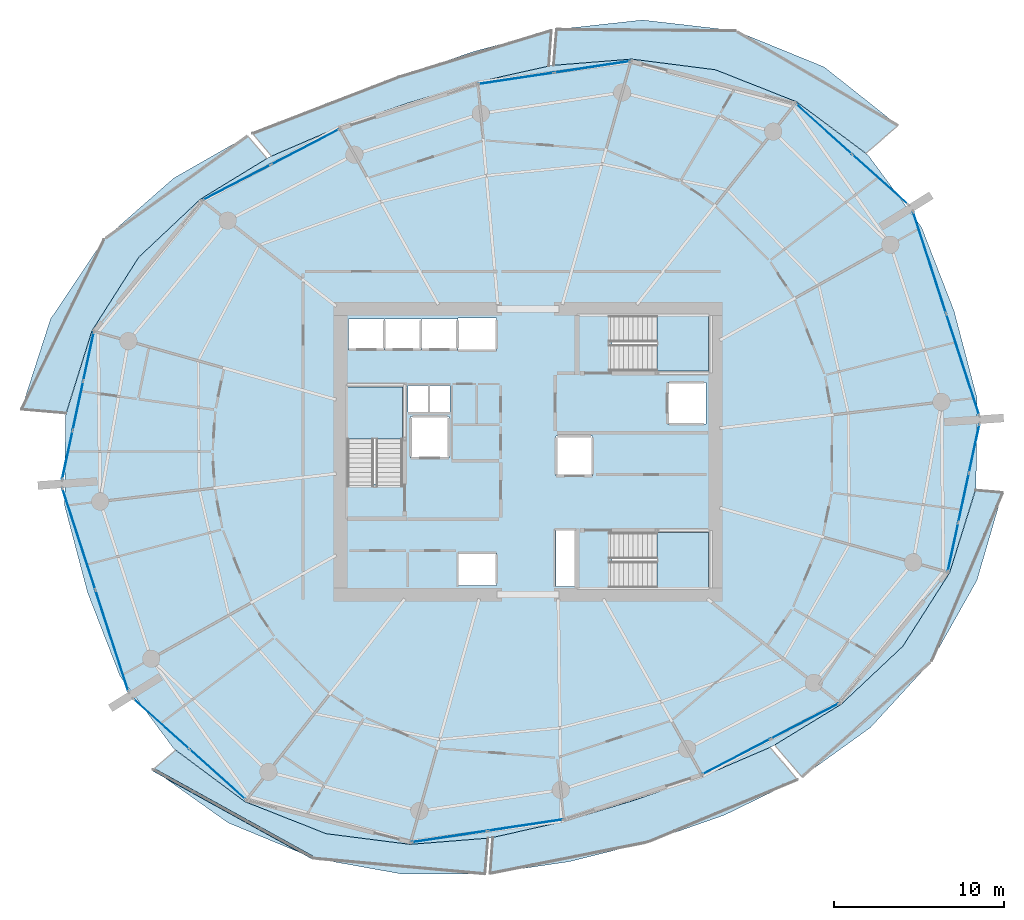
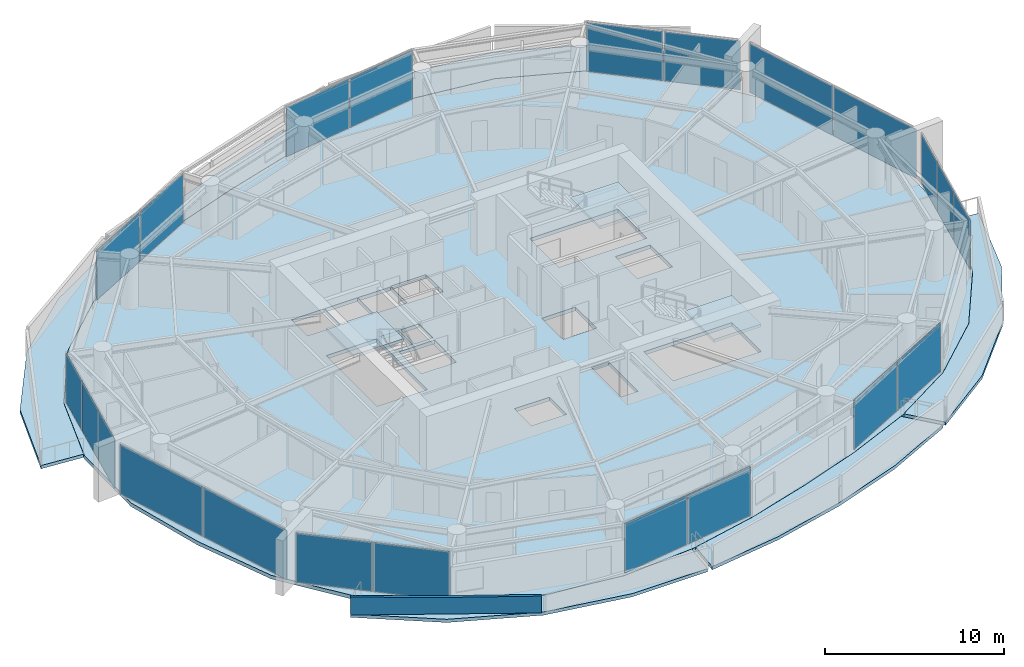
# One storey, part 10 of 20: 22 plates, 10 slabs, 1 wall, 13 elements without a shape of their own.
"""IFC4 building model written with IfcOpenShell, lengths in metres."""

from ifc_helpers import new_model, si_unit, direction, frame, origin, origin_2d, place, context, subcontext, project, spatial, polyline, rectangle, outline, extrude, material, layer, layer_set, type_object, element, aggregate, save


model = new_model("IFC4")

# Units and contexts
model_context = context("Model", 3, precision=1e-05, world=origin(), true_north=direction((0.0, 1.0)))
body_context = subcontext(model_context, "Body", "Model", "MODEL_VIEW")
ifc_project = project(units=[si_unit("LENGTHUNIT", "METRE"), si_unit("AREAUNIT", "SQUARE_METRE"), si_unit("VOLUMEUNIT", "CUBIC_METRE"), si_unit("PLANEANGLEUNIT", "RADIAN"), si_unit("MASSUNIT", "GRAM", prefix="KILO")], contexts=[model_context])

# Site, building, storey
site_placement = place(None, origin())
site = spatial("IfcSite", under=ifc_project, at=site_placement, CompositionType="ELEMENT")
building_placement = place(site_placement, origin())
building = spatial("IfcBuilding", under=site, at=building_placement, Name="Kazma Halo Residences", CompositionType="ELEMENT")
storey_placement = place(building_placement, frame((0.0, 0.0, 135.300048828125)))
storey = spatial("IfcBuildingStorey", under=building, at=storey_placement, Name="L33", CompositionType="ELEMENT", Elevation=135.300048828125)

# Curtain wall, plates
ifc_material_1 = material(Name="Aluminium AW-6063 T6 and Triple-Silver Low-E Glass", Category="aluminium")
ifc_layer_1 = layer(ifc_material_1, 0.219970703125)
ifc_layer_set_1 = layer_set([ifc_layer_1], Name="Aluminium AW-6063 T6 and Triple-Silver Low-E Glass")
curtain_wall_type = type_object("IfcCurtainWallType", Name="CW-SYS-4", PredefinedType="NOTDEFINED", material=ifc_layer_set_1)
curtain_wall_1_placement = place(storey_placement, origin())
curtain_wall_1 = element("IfcCurtainWall", 1, at=curtain_wall_1_placement, inside=storey, type_object=curtain_wall_type, Name="L33 unitised curtain wall B01", PredefinedType="NOTDEFINED")
ifc_material_2 = material(Name="Clear Triple-Silver Low-E Glass IGU", Category="glass")
ifc_layer_2 = layer(ifc_material_2, 0.033935546875)
ifc_layer_set_2 = layer_set([ifc_layer_2], Name="Clear Triple-Silver Low-E Glass IGU")
plate_type = type_object("IfcPlateType", Name="CW-SYS-4-PNL", PredefinedType="CURTAIN_PANEL", material=ifc_layer_set_2)
plate_1_placement = place(storey_placement, frame((69.126708984375, 58.008056640625, 0.074951171875), z_axis=(0.0, 0.0, 1.0), x_axis=(-0.744367582957, 0.667770096247, 0.0)))
plate_1 = element("IfcPlate", 2, at=plate_1_placement, type_object=plate_type, Name="CWS-4 panel 1.1", PredefinedType="CURTAIN_PANEL", context=body_context, shape_type="SweptSolid", body=[
    extrude(rectangle(XDim=4.36279296875, YDim=0.033935546875, at=origin_2d()), origin(), (0.0, 0.0, 1.0), 3.35009765625),
])
plate_2_placement = place(storey_placement, frame((65.823486328125, 60.971435546875, 0.074951171875), z_axis=(0.0, 0.0, 1.0), x_axis=(-0.744367582957, 0.667770096247, 0.0)))
plate_2 = element("IfcPlate", 3, at=plate_2_placement, type_object=plate_type, Name="CWS-4 panel 2.1", PredefinedType="CURTAIN_PANEL", context=body_context, shape_type="SweptSolid", body=[
    extrude(rectangle(XDim=4.36279296875, YDim=0.033935546875, at=origin_2d()), origin(), (0.0, 0.0, 1.0), 3.35009765625),
])
aggregate(curtain_wall_1, [plate_1, plate_2])

curtain_wall_2_placement = place(storey_placement, origin())
curtain_wall_2 = element("IfcCurtainWall", 4, at=curtain_wall_2_placement, inside=storey, type_object=curtain_wall_type, Name="L33 unitised curtain wall B03", PredefinedType="NOTDEFINED")
plate_3_placement = place(storey_placement, frame((52.200439453125, 64.625732421875, 0.074951171875), z_axis=(0.0, 0.0, 1.0), x_axis=(-0.988864148004, -0.148821022686, 0.0)))
plate_3 = element("IfcPlate", 5, at=plate_3_placement, type_object=plate_type, Name="CWS-4 panel 1.1", PredefinedType="CURTAIN_PANEL", context=body_context, shape_type="SweptSolid", body=[
    extrude(rectangle(XDim=4.4560546875, YDim=0.033935546875, at=origin_2d()), origin(), (0.0, 0.0, 1.0), 3.35009765625),
])
plate_4_placement = place(storey_placement, frame((47.7197265625, 63.951416015625, 0.074951171875), z_axis=(0.0, 0.0, 1.0), x_axis=(-0.988864148004, -0.148821022686, 0.0)))
plate_4 = element("IfcPlate", 6, at=plate_4_placement, type_object=plate_type, Name="CWS-4 panel 2.1", PredefinedType="CURTAIN_PANEL", context=body_context, shape_type="SweptSolid", body=[
    extrude(rectangle(XDim=4.4560546875, YDim=0.033935546875, at=origin_2d()), origin(), (0.0, 0.0, 1.0), 3.35009765625),
])
aggregate(curtain_wall_2, [plate_3, plate_4])

curtain_wall_3_placement = place(storey_placement, origin())
curtain_wall_3 = element("IfcCurtainWall", 7, at=curtain_wall_3_placement, inside=storey, type_object=curtain_wall_type, Name="L33 unitised curtain wall B05", PredefinedType="NOTDEFINED")
plate_5_placement = place(storey_placement, frame((35.323974609375, 59.923828125, 0.074951171875), z_axis=(0.0, 0.0, 1.0), x_axis=(-0.887484542306, -0.460837484552, 0.0)))
plate_5 = element("IfcPlate", 8, at=plate_5_placement, type_object=plate_type, Name="CWS-4 panel 1.1", PredefinedType="CURTAIN_PANEL", context=body_context, shape_type="SweptSolid", body=[
    extrude(rectangle(XDim=4.4560546875, YDim=0.033935546875, at=origin_2d()), origin(), (0.0, 0.0, 1.0), 3.35009765625),
])
plate_6_placement = place(storey_placement, frame((31.302734375, 57.835693359375, 0.074951171875), z_axis=(0.0, 0.0, 1.0), x_axis=(-0.887484542306, -0.460837484552, 0.0)))
plate_6 = element("IfcPlate", 9, at=plate_6_placement, type_object=plate_type, Name="CWS-4 panel 2.1", PredefinedType="CURTAIN_PANEL", context=body_context, shape_type="SweptSolid", body=[
    extrude(rectangle(XDim=4.4560546875, YDim=0.033935546875, at=origin_2d()), origin(), (0.0, 0.0, 1.0), 3.35009765625),
])
aggregate(curtain_wall_3, [plate_5, plate_6])

curtain_wall_4_placement = place(storey_placement, origin())
curtain_wall_4 = element("IfcCurtainWall", 10, at=curtain_wall_4_placement, inside=storey, type_object=curtain_wall_type, Name="L33 unitised curtain wall B07", PredefinedType="NOTDEFINED")
plate_7_placement = place(storey_placement, frame((22.5859375, 47.601318359375, 0.074951171875), z_axis=(0.0, 0.0, 1.0), x_axis=(-0.209703809037, -0.977764957684, 0.0)))
plate_7 = element("IfcPlate", 11, at=plate_7_placement, type_object=plate_type, Name="CWS-4 panel 1.1", PredefinedType="CURTAIN_PANEL", context=body_context, shape_type="SweptSolid", body=[
    extrude(rectangle(XDim=2.87109375, YDim=0.033935546875, at=origin_2d()), origin(), (0.0, 0.0, 1.0), 3.35009765625),
])
plate_8_placement = place(storey_placement, frame((21.964111328125, 44.702392578125, 0.074951171875), z_axis=(0.0, 0.0, 1.0), x_axis=(-0.209703809037, -0.977764957684, 0.0)))
plate_8 = element("IfcPlate", 12, at=plate_8_placement, type_object=plate_type, Name="CWS-4 panel 2.1", PredefinedType="CURTAIN_PANEL", context=body_context, shape_type="SweptSolid", body=[
    extrude(rectangle(XDim=2.90869140625, YDim=0.033935546875, at=origin_2d()), origin(), (0.0, 0.0, 1.0), 3.35009765625),
])
plate_9_placement = place(storey_placement, frame((21.34228515625, 41.803466796875, 0.074951171875), z_axis=(0.0, 0.0, 1.0), x_axis=(-0.209703809037, -0.977764957684, 0.0)))
plate_9 = element("IfcPlate", 13, at=plate_9_placement, type_object=plate_type, Name="CWS-4 panel 3.1", PredefinedType="CURTAIN_PANEL", context=body_context, shape_type="SweptSolid", body=[
    extrude(rectangle(XDim=2.87109375, YDim=0.033935546875, at=origin_2d()), origin(), (0.0, 0.0, 1.0), 3.35009765625),
])
aggregate(curtain_wall_4, [plate_7, plate_8, plate_9])

curtain_wall_5_placement = place(storey_placement, origin())
curtain_wall_5 = element("IfcCurtainWall", 14, at=curtain_wall_5_placement, inside=storey, type_object=curtain_wall_type, Name="L33 unitised curtain wall B08", PredefinedType="NOTDEFINED")
plate_10_placement = place(storey_placement, frame((22.017578125, 36.869873046875, 0.074951171875), z_axis=(0.0, 0.0, 1.0), x_axis=(0.3090138203, -0.951057547609, 0.0)))
plate_10 = element("IfcPlate", 15, at=plate_10_placement, type_object=plate_type, Name="CWS-4 panel 1.1", PredefinedType="CURTAIN_PANEL", context=body_context, shape_type="SweptSolid", body=[
    extrude(rectangle(XDim=6.224853515625, YDim=0.033935546875, at=origin_2d()), origin(), (0.0, 0.0, 1.0), 3.35009765625),
])
plate_11_placement = place(storey_placement, frame((23.96435546875, 30.878173828125, 0.074951171875), z_axis=(0.0, 0.0, 1.0), x_axis=(0.3090138203, -0.951057547609, 0.0)))
plate_11 = element("IfcPlate", 16, at=plate_11_placement, type_object=plate_type, Name="CWS-4 panel 2.1", PredefinedType="CURTAIN_PANEL", context=body_context, shape_type="SweptSolid", body=[
    extrude(rectangle(XDim=6.224853515625, YDim=0.033935546875, at=origin_2d()), origin(), (0.0, 0.0, 1.0), 3.35009765625),
])
aggregate(curtain_wall_5, [plate_10, plate_11])

curtain_wall_6_placement = place(storey_placement, origin())
curtain_wall_6 = element("IfcCurtainWall", 17, at=curtain_wall_6_placement, inside=storey, type_object=curtain_wall_type, Name="L33 unitised curtain wall B09", PredefinedType="NOTDEFINED")
plate_12_placement = place(storey_placement, frame((26.873291015625, 25.991943359375, 0.074951171875), z_axis=(0.0, 0.0, 1.0), x_axis=(0.744367582957, -0.667770096247, 0.0)))
plate_12 = element("IfcPlate", 18, at=plate_12_placement, type_object=plate_type, Name="CWS-4 panel 1.1", PredefinedType="CURTAIN_PANEL", context=body_context, shape_type="SweptSolid", body=[
    extrude(rectangle(XDim=4.36279296875, YDim=0.033935546875, at=origin_2d()), origin(), (0.0, 0.0, 1.0), 3.35009765625),
])
plate_13_placement = place(storey_placement, frame((30.176513671875, 23.028564453125, 0.074951171875), z_axis=(0.0, 0.0, 1.0), x_axis=(0.744367582957, -0.667770096247, 0.0)))
plate_13 = element("IfcPlate", 19, at=plate_13_placement, type_object=plate_type, Name="CWS-4 panel 2.1", PredefinedType="CURTAIN_PANEL", context=body_context, shape_type="SweptSolid", body=[
    extrude(rectangle(XDim=4.36279296875, YDim=0.033935546875, at=origin_2d()), origin(), (0.0, 0.0, 1.0), 3.35009765625),
])
aggregate(curtain_wall_6, [plate_12, plate_13])

curtain_wall_7_placement = place(storey_placement, origin())
curtain_wall_7 = element("IfcCurtainWall", 20, at=curtain_wall_7_placement, inside=storey, type_object=curtain_wall_type, Name="L33 unitised curtain wall B11", PredefinedType="NOTDEFINED")
plate_14_placement = place(storey_placement, frame((43.799560546875, 19.374267578125, 0.074951171875), z_axis=(0.0, 0.0, 1.0), x_axis=(0.988864148004, 0.148821022686, 0.0)))
plate_14 = element("IfcPlate", 21, at=plate_14_placement, type_object=plate_type, Name="CWS-4 panel 1.1", PredefinedType="CURTAIN_PANEL", context=body_context, shape_type="SweptSolid", body=[
    extrude(rectangle(XDim=4.4560546875, YDim=0.033935546875, at=origin_2d()), origin(), (0.0, 0.0, 1.0), 3.35009765625),
])
plate_15_placement = place(storey_placement, frame((48.2802734375, 20.048583984375, 0.074951171875), z_axis=(0.0, 0.0, 1.0), x_axis=(0.988864148004, 0.148821022686, 0.0)))
plate_15 = element("IfcPlate", 22, at=plate_15_placement, type_object=plate_type, Name="CWS-4 panel 2.1", PredefinedType="CURTAIN_PANEL", context=body_context, shape_type="SweptSolid", body=[
    extrude(rectangle(XDim=4.4560546875, YDim=0.033935546875, at=origin_2d()), origin(), (0.0, 0.0, 1.0), 3.35009765625),
])
aggregate(curtain_wall_7, [plate_14, plate_15])

curtain_wall_8_placement = place(storey_placement, origin())
curtain_wall_8 = element("IfcCurtainWall", 23, at=curtain_wall_8_placement, inside=storey, type_object=curtain_wall_type, Name="L33 unitised curtain wall B13", PredefinedType="NOTDEFINED")
plate_16_placement = place(storey_placement, frame((60.676025390625, 24.076171875, 0.074951171875), z_axis=(0.0, 0.0, 1.0), x_axis=(0.887484542306, 0.460837484552, 0.0)))
plate_16 = element("IfcPlate", 24, at=plate_16_placement, type_object=plate_type, Name="CWS-4 panel 1.1", PredefinedType="CURTAIN_PANEL", context=body_context, shape_type="SweptSolid", body=[
    extrude(rectangle(XDim=4.4560546875, YDim=0.033935546875, at=origin_2d()), origin(), (0.0, 0.0, 1.0), 3.35009765625),
])
plate_17_placement = place(storey_placement, frame((64.697265625, 26.164306640625, 0.074951171875), z_axis=(0.0, 0.0, 1.0), x_axis=(0.887484542306, 0.460837484552, 0.0)))
plate_17 = element("IfcPlate", 25, at=plate_17_placement, type_object=plate_type, Name="CWS-4 panel 2.1", PredefinedType="CURTAIN_PANEL", context=body_context, shape_type="SweptSolid", body=[
    extrude(rectangle(XDim=4.4560546875, YDim=0.033935546875, at=origin_2d()), origin(), (0.0, 0.0, 1.0), 3.35009765625),
])
aggregate(curtain_wall_8, [plate_16, plate_17])

curtain_wall_9_placement = place(storey_placement, origin())
curtain_wall_9 = element("IfcCurtainWall", 26, at=curtain_wall_9_placement, inside=storey, type_object=curtain_wall_type, Name="L33 unitised curtain wall B15", PredefinedType="NOTDEFINED")
plate_18_placement = place(storey_placement, frame((73.4140625, 36.398681640625, 0.074951171875), z_axis=(0.0, 0.0, 1.0), x_axis=(0.209703809037, 0.977764957684, 0.0)))
plate_18 = element("IfcPlate", 27, at=plate_18_placement, type_object=plate_type, Name="CWS-4 panel 1.1", PredefinedType="CURTAIN_PANEL", context=body_context, shape_type="SweptSolid", body=[
    extrude(rectangle(XDim=2.87109375, YDim=0.033935546875, at=origin_2d()), origin(), (0.0, 0.0, 1.0), 3.35009765625),
])
plate_19_placement = place(storey_placement, frame((74.035888671875, 39.297607421875, 0.074951171875), z_axis=(0.0, 0.0, 1.0), x_axis=(0.209703809037, 0.977764957684, 0.0)))
plate_19 = element("IfcPlate", 28, at=plate_19_placement, type_object=plate_type, Name="CWS-4 panel 2.1", PredefinedType="CURTAIN_PANEL", context=body_context, shape_type="SweptSolid", body=[
    extrude(rectangle(XDim=2.90869140625, YDim=0.033935546875, at=origin_2d()), origin(), (0.0, 0.0, 1.0), 3.35009765625),
])
plate_20_placement = place(storey_placement, frame((74.65771484375, 42.196533203125, 0.074951171875), z_axis=(0.0, 0.0, 1.0), x_axis=(0.209703809037, 0.977764957684, 0.0)))
plate_20 = element("IfcPlate", 29, at=plate_20_placement, type_object=plate_type, Name="CWS-4 panel 3.1", PredefinedType="CURTAIN_PANEL", context=body_context, shape_type="SweptSolid", body=[
    extrude(rectangle(XDim=2.87109375, YDim=0.033935546875, at=origin_2d()), origin(), (0.0, 0.0, 1.0), 3.35009765625),
])
aggregate(curtain_wall_9, [plate_18, plate_19, plate_20])

curtain_wall_10_placement = place(storey_placement, origin())
curtain_wall_10 = element("IfcCurtainWall", 30, at=curtain_wall_10_placement, inside=storey, type_object=curtain_wall_type, Name="L33 unitised curtain wall B16", PredefinedType="NOTDEFINED")
plate_21_placement = place(storey_placement, frame((73.982421875, 47.130126953125, 0.074951171875), z_axis=(0.0, 0.0, 1.0), x_axis=(-0.3090138203, 0.951057547609, 0.0)))
plate_21 = element("IfcPlate", 31, at=plate_21_placement, type_object=plate_type, Name="CWS-4 panel 1.1", PredefinedType="CURTAIN_PANEL", context=body_context, shape_type="SweptSolid", body=[
    extrude(rectangle(XDim=6.224853515625, YDim=0.033935546875, at=origin_2d()), origin(), (0.0, 0.0, 1.0), 3.35009765625),
])
plate_22_placement = place(storey_placement, frame((72.03564453125, 53.121826171875, 0.074951171875), z_axis=(0.0, 0.0, 1.0), x_axis=(-0.3090138203, 0.951057547609, 0.0)))
plate_22 = element("IfcPlate", 32, at=plate_22_placement, type_object=plate_type, Name="CWS-4 panel 2.1", PredefinedType="CURTAIN_PANEL", context=body_context, shape_type="SweptSolid", body=[
    extrude(rectangle(XDim=6.224853515625, YDim=0.033935546875, at=origin_2d()), origin(), (0.0, 0.0, 1.0), 3.35009765625),
])
aggregate(curtain_wall_10, [plate_21, plate_22])

# Slabs
ifc_material_3 = material(Name="White Concrete C50/60", Category="concrete")
ifc_layer_3 = layer(ifc_material_3, 0.219970703125)
ifc_layer_set_3 = layer_set([ifc_layer_3], Name="White Concrete C50/60")
slab_type_1 = type_object("IfcSlabType", Name="SLB-BAL-WAVE-210", PredefinedType="FLOOR", material=ifc_layer_set_3)
slab_1_placement = place(storey_placement, frame((0.0, 0.0, -0.219970703125)))
element("IfcSlab", 33, at=slab_1_placement, inside=storey, type_object=slab_type_1, Name="L33 NE cantilevered wave balcony slab", PredefinedType="FLOOR", context=body_context, shape_type="SweptSolid", body=[
    extrude(outline(polyline([(68.294677734375, 59.548583984375), (64.21923828125, 62.573974609375), (59.442626953125, 64.45751953125), (54.510986328125, 65.0859375), (49.927978515625, 64.720458984375), (50.10693359375, 66.831298828125), (55.15869140625, 67.38330078125), (60.61328125, 66.7548828125), (65.833984375, 64.622314453125), (70.179931640625, 61.17919921875), (68.294677734375, 59.548583984375)])), origin(), (0.0, 0.0, 1.0), 0.219970703125),
])
slab_2_placement = place(storey_placement, frame((0.0, 0.0, -0.219970703125)))
element("IfcSlab", 34, at=slab_2_placement, inside=storey, type_object=slab_type_1, Name="L33 NNW cantilevered wave balcony slab", PredefinedType="FLOOR", context=body_context, shape_type="SweptSolid", body=[
    extrude(outline(polyline([(49.6455078125, 64.67822265625), (45.427978515625, 63.72998046875), (41.3408203125, 62.494873046875), (37.30810546875, 61.091552734375), (33.3388671875, 59.3798828125), (32.223388671875, 60.702392578125), (36.5322265625, 62.47705078125), (40.841064453125, 64.033203125), (45.215576171875, 65.5263671875), (49.797119140625, 66.767578125), (49.6455078125, 64.67822265625)])), origin(), (0.0, 0.0, 1.0), 0.219970703125),
])
slab_3_placement = place(storey_placement, frame((0.0, 0.0, -0.219970703125)))
element("IfcSlab", 35, at=slab_3_placement, inside=storey, type_object=slab_type_1, Name="L33 NW cantilevered wave balcony slab", PredefinedType="FLOOR", context=body_context, shape_type="SweptSolid", body=[
    extrude(outline(polyline([(33.08544921875, 59.248046875), (29.1630859375, 56.849853515625), (25.54248046875, 53.442626953125), (22.78515625, 49.111328125), (21.2666015625, 44.268310546875), (18.6376953125, 44.491455078125), (20.349853515625, 49.798095703125), (23.49609375, 54.4853515625), (27.59521484375, 58.0859375), (31.9423828125, 60.5703125), (33.08544921875, 59.248046875)])), origin(), (0.0, 0.0, 1.0), 0.219970703125),
])
slab_4_placement = place(storey_placement, frame((0.0, 0.0, -0.219970703125)))
element("IfcSlab", 36, at=slab_4_placement, inside=storey, type_object=slab_type_1, Name="L33 SW cantilevered wave balcony slab", PredefinedType="FLOOR", context=body_context, shape_type="SweptSolid", body=[
    extrude(outline(polyline([(27.705322265625, 24.451416015625), (31.78076171875, 21.426025390625), (36.557373046875, 19.54248046875), (41.489013671875, 18.9140625), (46.072021484375, 19.279541015625), (45.894775390625, 17.187744140625), (40.998046875, 17.1728515625), (35.822998046875, 18.101318359375), (30.797607421875, 20.178955078125), (26.386474609375, 23.310791015625), (27.705322265625, 24.451416015625)])), origin(), (0.0, 0.0, 1.0), 0.219970703125),
])
slab_5_placement = place(storey_placement, frame((0.0, 0.0, -0.219970703125)))
element("IfcSlab", 37, at=slab_5_placement, inside=storey, type_object=slab_type_1, Name="L33 SSE cantilevered wave balcony slab", PredefinedType="FLOOR", context=body_context, shape_type="SweptSolid", body=[
    extrude(outline(polyline([(46.3544921875, 19.32177734375), (50.572021484375, 20.27001953125), (54.6591796875, 21.505126953125), (58.69189453125, 22.908447265625), (62.6611328125, 24.6201171875), (64.259521484375, 22.725341796875), (59.966064453125, 20.633056640625), (55.455810546875, 19.052978515625), (50.852294921875, 17.89990234375), (46.201416015625, 17.21337890625), (46.3544921875, 19.32177734375)])), origin(), (0.0, 0.0, 1.0), 0.219970703125),
])
slab_6_placement = place(storey_placement, frame((0.0, 0.0, -0.219970703125)))
element("IfcSlab", 38, at=slab_6_placement, inside=storey, type_object=slab_type_1, Name="L33 SE cantilevered wave balcony slab", PredefinedType="FLOOR", context=body_context, shape_type="SweptSolid", body=[
    extrude(outline(polyline([(62.91455078125, 24.751953125), (66.8369140625, 27.150146484375), (70.45751953125, 30.557373046875), (73.21484375, 34.888671875), (74.7333984375, 39.731689453125), (76.326171875, 39.596435546875), (74.81787109375, 34.4365234375), (72.1494140625, 29.6953125), (68.564208984375, 25.788330078125), (64.52978515625, 22.8837890625), (62.91455078125, 24.751953125)])), origin(), (0.0, 0.0, 1.0), 0.219970703125),
])
ifc_material_4 = material(Name="Concrete C50/60", Category="concrete")
ifc_layer_4 = layer(ifc_material_4, 0.25)
ifc_layer_set_4 = layer_set([ifc_layer_4], Name="Concrete C50/60")
slab_type_2 = type_object("IfcSlabType", Name="SLB-RES-250", PredefinedType="FLOOR", material=ifc_layer_set_4)
slab_7_placement = place(storey_placement, frame((0.0, 0.0, -0.25)))
element("IfcSlab", 39, at=slab_7_placement, inside=storey, type_object=slab_type_2, Name="L33 structural floor slab", PredefinedType="FLOOR", context=body_context, shape_type="SweptSolid", body=[
    extrude(outline(polyline([(73.47265625, 50.276611328125), (71.56201171875, 55.1953125), (68.41796875, 59.438720703125), (64.218017578125, 62.572509765625), (59.441650390625, 64.45556640625), (54.510498046875, 65.083984375), (49.787109375, 64.706298828125), (45.42822265625, 63.727783203125), (41.341552734375, 62.492919921875), (37.30908203125, 61.08984375), (33.2080078125, 59.3193359375), (29.16455078125, 56.8486328125), (25.54443359375, 53.441650390625), (22.787109375, 49.110595703125), (21.2314453125, 44.106689453125), (21.181884765625, 38.825927734375), (22.52734375, 33.723388671875), (24.43798828125, 28.8046875), (27.58203125, 24.561279296875), (31.781982421875, 21.427490234375), (36.558349609375, 19.54443359375), (41.489501953125, 18.916015625), (46.212890625, 19.293701171875), (50.57177734375, 20.272216796875), (54.658447265625, 21.507080078125), (58.69091796875, 22.91015625), (62.7919921875, 24.6806640625), (66.83544921875, 27.1513671875), (70.45556640625, 30.558349609375), (73.212890625, 34.889404296875), (74.7685546875, 39.893310546875), (74.818115234375, 45.174072265625), (73.47265625, 50.276611328125)]), holes=[polyline([(37.800048828125, 40.110107421875), (41.050048828125, 40.110107421875), (41.050048828125, 45.800048828125), (37.800048828125, 45.800048828125), (37.800048828125, 40.110107421875)]), polyline([(53.360107421875, 46.75), (59.050048828125, 46.75), (59.050048828125, 50.0), (53.360107421875, 50.0), (53.360107421875, 46.75)]), polyline([(53.360107421875, 34.0), (59.050048828125, 34.0), (59.050048828125, 37.25), (53.360107421875, 37.25), (53.360107421875, 34.0)]), polyline([(41.52001953125, 41.6201171875), (43.780029296875, 41.6201171875), (43.780029296875, 44.080078125), (41.52001953125, 44.080078125), (41.52001953125, 41.6201171875)]), polyline([(56.6201171875, 43.6201171875), (58.8798828125, 43.6201171875), (58.8798828125, 46.080078125), (56.6201171875, 46.080078125), (56.6201171875, 43.6201171875)]), polyline([(37.864990234375, 47.9951171875), (39.97509765625, 47.9951171875), (39.97509765625, 49.804931640625), (37.864990234375, 49.804931640625), (37.864990234375, 47.9951171875)]), polyline([(40.014892578125, 47.9951171875), (42.125, 47.9951171875), (42.125, 49.804931640625), (40.014892578125, 49.804931640625), (40.014892578125, 47.9951171875)]), polyline([(42.1650390625, 47.9951171875), (44.27490234375, 47.9951171875), (44.27490234375, 49.804931640625), (42.1650390625, 49.804931640625), (42.1650390625, 47.9951171875)]), polyline([(44.320068359375, 47.945068359375), (46.580078125, 47.945068359375), (46.580078125, 49.85498046875), (44.320068359375, 49.85498046875), (44.320068359375, 47.945068359375)]), polyline([(44.320068359375, 34.14501953125), (46.580078125, 34.14501953125), (46.580078125, 36.054931640625), (44.320068359375, 36.054931640625), (44.320068359375, 34.14501953125)]), polyline([(50.070068359375, 40.570068359375), (52.22998046875, 40.570068359375), (52.22998046875, 42.929931640625), (50.070068359375, 42.929931640625), (50.070068359375, 40.570068359375)]), polyline([(41.360107421875, 44.340087890625), (42.5400390625, 44.340087890625), (42.5400390625, 45.89990234375), (41.360107421875, 45.89990234375), (41.360107421875, 44.340087890625)]), polyline([(42.659912109375, 44.340087890625), (43.840087890625, 44.340087890625), (43.840087890625, 45.89990234375), (42.659912109375, 45.89990234375), (42.659912109375, 44.340087890625)]), polyline([(50.06005859375, 34.080078125), (51.159912109375, 34.080078125), (51.159912109375, 37.3798828125), (50.06005859375, 37.3798828125), (50.06005859375, 34.080078125)])]), origin(), (0.0, 0.0, 1.0), 0.25),
])

# Stair, slab
stair_type = type_object("IfcStairType", Name="STR-RES1", PredefinedType="HALF_TURN_STAIR", material=ifc_material_4)
stair_1_placement = place(storey_placement, origin())
stair_1 = element("IfcStair", 40, at=stair_1_placement, inside=storey, type_object=stair_type, Name="L33 Core exit stair ST-01", PredefinedType="HALF_TURN_STAIR")
ifc_layer_5 = layer(ifc_material_4, 0.199951171875)
ifc_layer_set_5 = layer_set([ifc_layer_5], Name="Concrete C50/60")
slab_type_3 = type_object("IfcSlabType", Name="SLB-STAIR-LND-200", PredefinedType="LANDING", material=ifc_layer_set_5)
slab_8_placement = place(storey_placement, frame((0.0, 0.0, 1.675048828125)))
slab_8 = element("IfcSlab", 41, at=slab_8_placement, type_object=slab_type_3, Name="ST-01 landing 1", PredefinedType="LANDING", context=body_context, shape_type="SweptSolid", body=[
    extrude(outline(polyline([(41.050048828125, 42.75), (41.050048828125, 45.800048828125), (37.800048828125, 45.800048828125), (37.800048828125, 42.75), (41.050048828125, 42.75)])), origin(), (0.0, 0.0, 1.0), 0.199951171875),
])
aggregate(stair_1, [slab_8])

stair_2_placement = place(storey_placement, origin())
stair_2 = element("IfcStair", 42, at=stair_2_placement, inside=storey, type_object=stair_type, Name="L33 Core exit stair ST-02", PredefinedType="HALF_TURN_STAIR")
slab_9_placement = place(storey_placement, frame((0.0, 0.0, 1.675048828125)))
slab_9 = element("IfcSlab", 43, at=slab_9_placement, type_object=slab_type_3, Name="ST-02 landing 1", PredefinedType="LANDING", context=body_context, shape_type="SweptSolid", body=[
    extrude(outline(polyline([(56.0, 46.75), (59.050048828125, 46.75), (59.050048828125, 50.0), (56.0, 50.0), (56.0, 46.75)])), origin(), (0.0, 0.0, 1.0), 0.199951171875),
])
aggregate(stair_2, [slab_9])

stair_3_placement = place(storey_placement, origin())
stair_3 = element("IfcStair", 44, at=stair_3_placement, inside=storey, type_object=stair_type, Name="L33 Core exit stair ST-03", PredefinedType="HALF_TURN_STAIR")
slab_10_placement = place(storey_placement, frame((0.0, 0.0, 1.675048828125)))
slab_10 = element("IfcSlab", 45, at=slab_10_placement, type_object=slab_type_3, Name="ST-03 landing 1", PredefinedType="LANDING", context=body_context, shape_type="SweptSolid", body=[
    extrude(outline(polyline([(56.0, 34.0), (59.050048828125, 34.0), (59.050048828125, 37.25), (56.0, 37.25), (56.0, 34.0)])), origin(), (0.0, 0.0, 1.0), 0.199951171875),
])
aggregate(stair_3, [slab_10])

# Wall
ifc_material_5 = material(Name="White Concrete C50/60 Balustrade", Category="concrete")
ifc_layer_6 = layer(ifc_material_5, 0.179931640625)
ifc_layer_set_6 = layer_set([ifc_layer_6], Name="White Concrete C50/60 Balustrade")
wall_type = type_object("IfcWallType", Name="WL-BAL-WAVE-180", PredefinedType="PARAPET", material=ifc_layer_set_6)
wall_placement = place(storey_placement, frame((26.386474609375, 23.310791015625, 0.0), z_axis=(0.0, 0.0, 1.0), x_axis=(0.875451711427, -0.483305597897, 0.0)))
element("IfcWall", 46, at=wall_placement, inside=storey, type_object=wall_type, Name="L33 white wave balustrade wall SW.1", PredefinedType="PARAPET", context=body_context, shape_type="SweptSolid", body=[
    extrude(outline(polyline([(0.0, 0.0), (10.6591796875, 0.0), (10.658935546875, 1.14794921875), (5.32958984375, 1.126953125), (0.0, 1.223876953125), (0.0, 0.0)])), frame((0.0, 0.08984375, 0.0), z_axis=(0.0, -1.0, 0.0), x_axis=(1.0, 0.0, 0.0)), (0.0, 0.0, 1.0), 0.179931640625),
])

save(model, "model.ifc")
